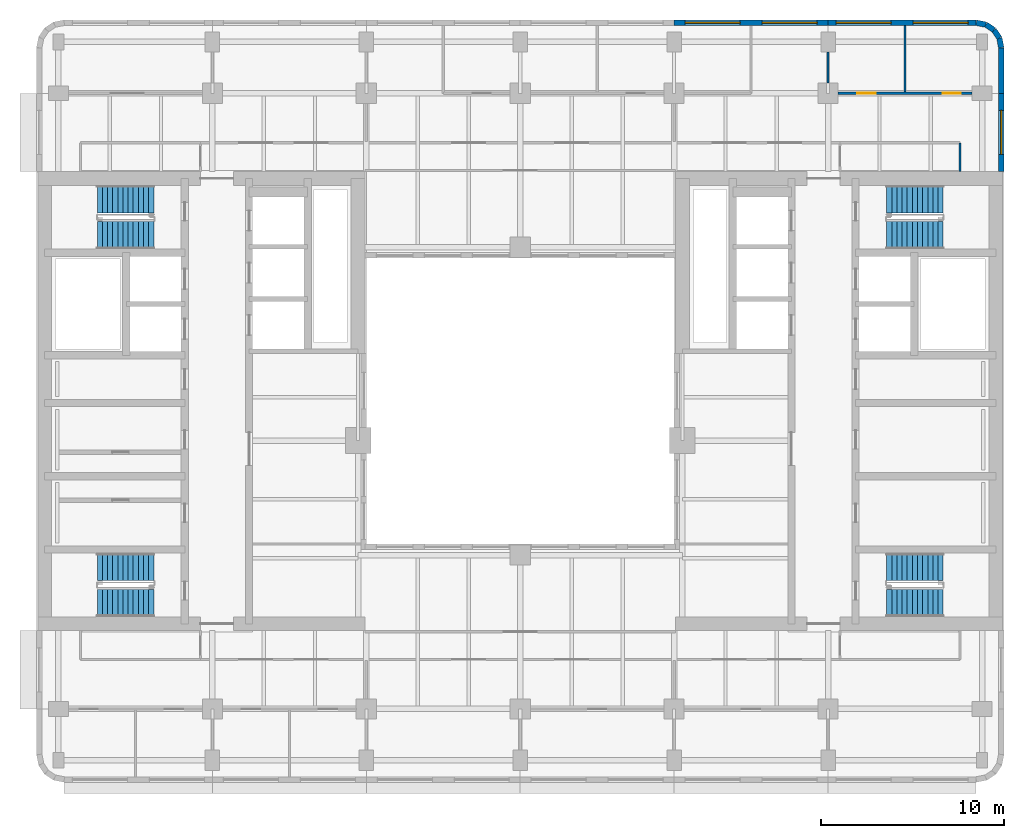
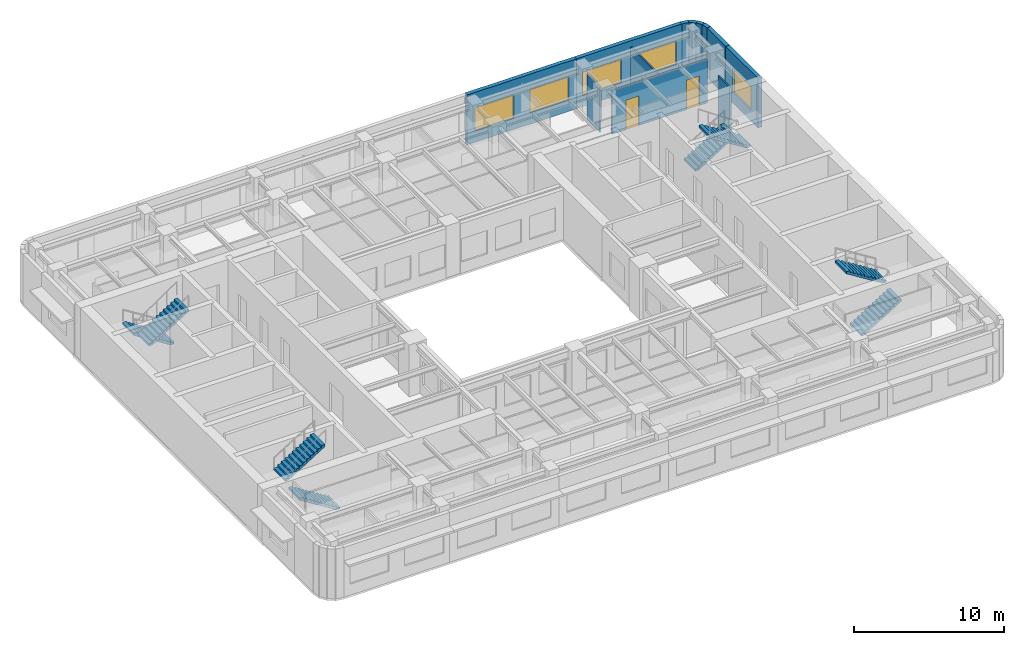
# One storey, part 8 of 11: 12 walls, 8 stair flights, 5 windows, 2 doors, 7 openings, 4 elements without a shape of their own.
"""IFC4 building model written with IfcOpenShell, lengths in metres."""

from ifc_helpers import new_model, si_unit, direction, frame, frame_2d, origin, place, context, subcontext, project, spatial, polyline, rectangle, outline, extrude, material, layer, layer_set, type_object, element, fill, aggregate, save


model = new_model("IFC4")

# Units and contexts
model_context = context("Model", 3, precision=1e-05, world=origin(), true_north=direction((0.0, 1.0)))
body_context = subcontext(model_context, "Body", "Model", "MODEL_VIEW")
ifc_project = project(units=[si_unit("LENGTHUNIT", "METRE"), si_unit("AREAUNIT", "SQUARE_METRE"), si_unit("VOLUMEUNIT", "CUBIC_METRE"), si_unit("PLANEANGLEUNIT", "RADIAN"), si_unit("MASSUNIT", "GRAM", prefix="KILO")], contexts=[model_context])

# Site, building, storey
site_placement = place(None, origin())
site = spatial("IfcSite", under=ifc_project, at=site_placement, CompositionType="ELEMENT")
building_placement = place(site_placement, origin())
building = spatial("IfcBuilding", under=site, at=building_placement, Name="Claustro Exchange Tower", CompositionType="ELEMENT")
storey_placement = place(building_placement, frame((0.0, 0.0, 207.0)))
storey = spatial("IfcBuildingStorey", under=building, at=storey_placement, Name="L47", CompositionType="ELEMENT", Elevation=207.0)

# Wall, openings, doors
ifc_material_1 = material(Name="Laminated glass in aluminium frame", Category="aluminium")
ifc_layer_1 = layer(ifc_material_1, 0.1201171875)
ifc_layer_set_1 = layer_set([ifc_layer_1], Name="Laminated glass in aluminium frame")
wall_type_1 = type_object("IfcWallType", Name="P2 120 glazed partition", PredefinedType="PARTITIONING", material=ifc_layer_set_1)
wall_1_placement = place(storey_placement, frame((42.549072265625, 42.0, 0.0), z_axis=(0.0, 0.0, 1.0), x_axis=(1.0, 0.0, 0.0)))
wall_1 = element("IfcWall", 1, at=wall_1_placement, inside=storey, type_object=wall_type_1, Name="Partition P2 L47", PredefinedType="PARTITIONING", context=body_context, shape_type="SweptSolid", body=[
    extrude(rectangle(XDim=7.302001953125, YDim=0.1201171875, at=frame_2d((3.65087890625, 0.0))), origin(), (0.0, 0.0, 1.0), 3.550048828125),
])
opening_1_placement = place(wall_1_placement, frame((1.051025390625, 0.0, 0.0)))
opening_1 = element("IfcOpeningElement", 2, at=opening_1_placement, cuts=wall_1, Name="Opening D7", PredefinedType="OPENING", context=body_context, shape_type="SweptSolid", body=[
    extrude(rectangle(XDim=1.0, YDim=2.39990234375, at=frame_2d((0.5, 1.199951171875))), frame((0.0, 0.070068359375, 0.0), z_axis=(0.0, -1.0, 0.0), x_axis=(1.0, 0.0, 0.0)), (0.0, 0.0, 1.0), 0.14013671875),
])
opening_2_placement = place(wall_1_placement, frame((5.700927734375, 0.0, 0.0)))
opening_2 = element("IfcOpeningElement", 3, at=opening_2_placement, cuts=wall_1, Name="Opening D7", PredefinedType="OPENING", context=body_context, shape_type="SweptSolid", body=[
    extrude(rectangle(XDim=1.0, YDim=2.39990234375, at=frame_2d((0.5, 1.199951171875))), frame((0.0, 0.070068359375, 0.0), z_axis=(0.0, -1.0, 0.0), x_axis=(1.0, 0.0, 0.0)), (0.0, 0.0, 1.0), 0.14013671875),
])
ifc_material_2 = material(Name="Glass door in aluminium frame", Category="aluminium")
door_type = type_object("IfcDoorType", Name="D7 1000 x 2400 glazed door", OperationType="SINGLE_SWING_LEFT", PredefinedType="DOOR", material=ifc_material_2)
door_1_placement = place(opening_1_placement, origin())
door_1 = element("IfcDoor", 4, at=door_1_placement, inside=storey, type_object=door_type, Name="Door D7 L47", OperationType="SINGLE_SWING_LEFT", OverallHeight=2.39990234375, OverallWidth=1.0, PredefinedType="DOOR", context=body_context, shape_type="SweptSolid", body=[
    extrude(rectangle(XDim=1.0, YDim=2.39990234375, at=frame_2d((0.5, 1.199951171875))), frame((0.0, 0.02490234375, 0.0), z_axis=(0.0, -1.0, 0.0), x_axis=(1.0, 0.0, 0.0)), (0.0, 0.0, 1.0), 0.050048828125),
])
fill(opening_1, door_1)
door_2_placement = place(opening_2_placement, origin())
door_2 = element("IfcDoor", 5, at=door_2_placement, inside=storey, type_object=door_type, Name="Door D7 L47", OperationType="SINGLE_SWING_LEFT", OverallHeight=2.39990234375, OverallWidth=1.0, PredefinedType="DOOR", context=body_context, shape_type="SweptSolid", body=[
    extrude(rectangle(XDim=1.0, YDim=2.39990234375, at=frame_2d((0.5, 1.199951171875))), frame((0.0, 0.02490234375, 0.0), z_axis=(0.0, -1.0, 0.0), x_axis=(1.0, 0.0, 0.0)), (0.0, 0.0, 1.0), 0.050048828125),
])
fill(opening_2, door_2)

# Walls
wall_2_placement = place(storey_placement, frame((42.0, 42.549072265625, 0.0), z_axis=(0.0, 0.0, 1.0), x_axis=(0.0, 1.0, 0.0)))
element("IfcWall", 6, at=wall_2_placement, inside=storey, type_object=wall_type_1, Name="Partition P2 L47", PredefinedType="PARTITIONING", context=body_context, shape_type="SweptSolid", body=[
    extrude(rectangle(XDim=1.701904296875, YDim=0.1201171875, at=frame_2d((0.85107421875, 0.0))), origin(), (0.0, 0.0, 1.0), 3.68994140625),
])
wall_3_placement = place(storey_placement, frame((46.199951171875, 42.05810546875, 0.0), z_axis=(0.0, 0.0, 1.0), x_axis=(0.0, 1.0, 0.0)))
element("IfcWall", 7, at=wall_3_placement, inside=storey, type_object=wall_type_1, Name="Partition P2 L47", PredefinedType="PARTITIONING", context=body_context, shape_type="SweptSolid", body=[
    extrude(rectangle(XDim=3.643798828125, YDim=0.1201171875, at=frame_2d((1.82177734375, 0.0))), origin(), (0.0, 0.0, 1.0), 3.550048828125),
])
wall_4_placement = place(storey_placement, frame((49.199951171875, 37.72412109375, 0.0), z_axis=(0.0, 0.0, 1.0), x_axis=(0.0, 1.0, 0.0)))
element("IfcWall", 8, at=wall_4_placement, inside=storey, type_object=wall_type_1, Name="Partition P2 L47", PredefinedType="PARTITIONING", context=body_context, shape_type="SweptSolid", body=[
    extrude(rectangle(XDim=1.575927734375, YDim=0.1201171875, at=frame_2d((0.7880859375, 0.0))), origin(), (0.0, 0.0, 1.0), 4.050048828125),
])

# Wall, openings, windows
ifc_material_3 = material(Name="Concrete HA-40 (C40/50), precast, white cement, acid-etched", Category="concrete")
ifc_layer_2 = layer(ifc_material_3, 0.300048828125)
ifc_layer_set_2 = layer_set([ifc_layer_2], Name="Concrete HA-40 (C40/50), precast, white cement, acid-etched")
wall_type_2 = type_object("IfcWallType", Name="PC1 300 precast concrete pier panel", PredefinedType="SOLIDWALL", material=ifc_layer_set_2)
wall_5_placement = place(storey_placement, frame((33.60009765625, 45.85009765625, 0.0), z_axis=(0.0, 0.0, 1.0), x_axis=(1.0, 0.0, 0.0)))
wall_5 = element("IfcWall", 9, at=wall_5_placement, inside=storey, type_object=wall_type_2, Name="Precast pier panel PC1 L47", PredefinedType="SOLIDWALL", context=body_context, shape_type="SweptSolid", body=[
    extrude(rectangle(XDim=8.39990234375, YDim=0.300048828125, at=frame_2d((4.199951171875, 0.0))), origin(), (0.0, 0.0, 1.0), 4.050048828125),
])
opening_3_placement = place(wall_5_placement, frame((0.60009765625, 0.0, 0.89990234375)))
opening_3 = element("IfcOpeningElement", 10, at=opening_3_placement, cuts=wall_5, Name="Opening W1", PredefinedType="OPENING", context=body_context, shape_type="SweptSolid", body=[
    extrude(rectangle(XDim=3.0, YDim=1.89990234375, at=frame_2d((1.5, 0.949951171875))), frame((0.0, 0.159912109375, 0.0), z_axis=(0.0, -1.0, 0.0), x_axis=(1.0, 0.0, 0.0)), (0.0, 0.0, 1.0), 0.320068359375),
])
opening_4_placement = place(wall_5_placement, frame((4.800048828125, 0.0, 0.89990234375)))
opening_4 = element("IfcOpeningElement", 11, at=opening_4_placement, cuts=wall_5, Name="Opening W1", PredefinedType="OPENING", context=body_context, shape_type="SweptSolid", body=[
    extrude(rectangle(XDim=3.0, YDim=1.89990234375, at=frame_2d((1.5, 0.949951171875))), frame((0.0, 0.159912109375, 0.0), z_axis=(0.0, -1.0, 0.0), x_axis=(1.0, 0.0, 0.0)), (0.0, 0.0, 1.0), 0.320068359375),
])
ifc_material_4 = material(Name="Aluminium frame, clear double glazing", Category="aluminium")
window_type_1 = type_object("IfcWindowType", Name="W1 3000 x 1900 window", PartitioningType="SINGLE_PANEL", PredefinedType="WINDOW", material=ifc_material_4)
window_1_placement = place(opening_3_placement, origin())
window_1 = element("IfcWindow", 12, at=window_1_placement, inside=storey, type_object=window_type_1, Name="Window W1 L47", OverallHeight=1.89990234375, OverallWidth=3.0, PartitioningType="SINGLE_PANEL", PredefinedType="WINDOW", context=body_context, shape_type="SweptSolid", body=[
    extrude(rectangle(XDim=3.0, YDim=1.89990234375, at=frame_2d((1.5, 0.949951171875))), frame((0.0, 0.030029296875, 0.0), z_axis=(0.0, -1.0, 0.0), x_axis=(1.0, 0.0, 0.0)), (0.0, 0.0, 1.0), 0.06005859375),
])
fill(opening_3, window_1)
window_2_placement = place(opening_4_placement, origin())
window_2 = element("IfcWindow", 13, at=window_2_placement, inside=storey, type_object=window_type_1, Name="Window W1 L47", OverallHeight=1.89990234375, OverallWidth=3.0, PartitioningType="SINGLE_PANEL", PredefinedType="WINDOW", context=body_context, shape_type="SweptSolid", body=[
    extrude(rectangle(XDim=3.0, YDim=1.89990234375, at=frame_2d((1.5, 0.949951171875))), frame((0.0, 0.030029296875, 0.0), z_axis=(0.0, -1.0, 0.0), x_axis=(1.0, 0.0, 0.0)), (0.0, 0.0, 1.0), 0.06005859375),
])
fill(opening_4, window_2)

wall_6_placement = place(storey_placement, frame((42.0, 45.85009765625, 0.0), z_axis=(0.0, 0.0, 1.0), x_axis=(1.0, 0.0, 0.0)))
wall_6 = element("IfcWall", 14, at=wall_6_placement, inside=storey, type_object=wall_type_2, Name="Precast pier panel PC1 L47", PredefinedType="SOLIDWALL", context=body_context, shape_type="SweptSolid", body=[
    extrude(rectangle(XDim=8.085205078125, YDim=0.300048828125, at=frame_2d((4.04248046875, 0.0))), origin(), (0.0, 0.0, 1.0), 4.050048828125),
])
opening_5_placement = place(wall_6_placement, frame((0.442626953125, 0.0, 0.89990234375)))
opening_5 = element("IfcOpeningElement", 15, at=opening_5_placement, cuts=wall_6, Name="Opening W1", PredefinedType="OPENING", context=body_context, shape_type="SweptSolid", body=[
    extrude(rectangle(XDim=3.0, YDim=1.89990234375, at=frame_2d((1.5, 0.949951171875))), frame((0.0, 0.159912109375, 0.0), z_axis=(0.0, -1.0, 0.0), x_axis=(1.0, 0.0, 0.0)), (0.0, 0.0, 1.0), 0.320068359375),
])
opening_6_placement = place(wall_6_placement, frame((4.642578125, 0.0, 0.89990234375)))
opening_6 = element("IfcOpeningElement", 16, at=opening_6_placement, cuts=wall_6, Name="Opening W1", PredefinedType="OPENING", context=body_context, shape_type="SweptSolid", body=[
    extrude(rectangle(XDim=3.0, YDim=1.89990234375, at=frame_2d((1.5, 0.949951171875))), frame((0.0, 0.159912109375, 0.0), z_axis=(0.0, -1.0, 0.0), x_axis=(1.0, 0.0, 0.0)), (0.0, 0.0, 1.0), 0.320068359375),
])
window_3_placement = place(opening_5_placement, origin())
window_3 = element("IfcWindow", 17, at=window_3_placement, inside=storey, type_object=window_type_1, Name="Window W1 L47", OverallHeight=1.89990234375, OverallWidth=3.0, PartitioningType="SINGLE_PANEL", PredefinedType="WINDOW", context=body_context, shape_type="SweptSolid", body=[
    extrude(rectangle(XDim=3.0, YDim=1.89990234375, at=frame_2d((1.5, 0.949951171875))), frame((0.0, 0.030029296875, 0.0), z_axis=(0.0, -1.0, 0.0), x_axis=(1.0, 0.0, 0.0)), (0.0, 0.0, 1.0), 0.06005859375),
])
fill(opening_5, window_3)
window_4_placement = place(opening_6_placement, origin())
window_4 = element("IfcWindow", 18, at=window_4_placement, inside=storey, type_object=window_type_1, Name="Window W1 L47", OverallHeight=1.89990234375, OverallWidth=3.0, PartitioningType="SINGLE_PANEL", PredefinedType="WINDOW", context=body_context, shape_type="SweptSolid", body=[
    extrude(rectangle(XDim=3.0, YDim=1.89990234375, at=frame_2d((1.5, 0.949951171875))), frame((0.0, 0.030029296875, 0.0), z_axis=(0.0, -1.0, 0.0), x_axis=(1.0, 0.0, 0.0)), (0.0, 0.0, 1.0), 0.06005859375),
])
fill(opening_6, window_4)

# Walls
wall_7_placement = place(storey_placement, frame((50.085205078125, 45.85009765625, 0.0), z_axis=(0.0, 0.0, 1.0), x_axis=(0.980702050465, -0.1955082817, 0.0)))
element("IfcWall", 19, at=wall_7_placement, inside=storey, type_object=wall_type_2, Name="Precast pier panel PC1 L47", PredefinedType="SOLIDWALL", context=body_context, shape_type="SweptSolid", body=[
    extrude(rectangle(XDim=0.540771484375, YDim=0.300048828125, at=frame_2d((0.2705078125, 0.0))), origin(), (0.0, 0.0, 1.0), 4.050048828125),
])
wall_8_placement = place(storey_placement, frame((50.615478515625, 45.744384765625, 0.0), z_axis=(0.0, 0.0, 1.0), x_axis=(0.831692711774, -0.555236195849, 0.0)))
element("IfcWall", 20, at=wall_8_placement, inside=storey, type_object=wall_type_2, Name="Precast pier panel PC1 L47", PredefinedType="SOLIDWALL", context=body_context, shape_type="SweptSolid", body=[
    extrude(rectangle(XDim=0.525390625, YDim=0.300048828125, at=frame_2d((0.2626953125, 0.0))), origin(), (0.0, 0.0, 1.0), 4.050048828125),
])
wall_9_placement = place(storey_placement, frame((51.052490234375, 45.45263671875, 0.0), z_axis=(0.0, 0.0, 1.0), x_axis=(0.55534295404, -0.831621430339, 0.0)))
element("IfcWall", 21, at=wall_9_placement, inside=storey, type_object=wall_type_2, Name="Precast pier panel PC1 L47", PredefinedType="SOLIDWALL", context=body_context, shape_type="SweptSolid", body=[
    extrude(rectangle(XDim=0.52587890625, YDim=0.300048828125, at=frame_2d((0.262939453125, 0.0))), origin(), (0.0, 0.0, 1.0), 4.050048828125),
])
wall_10_placement = place(storey_placement, frame((51.344482421875, 45.015380859375, 0.0), z_axis=(0.0, 0.0, 1.0), x_axis=(0.195073962632, -0.980788534345, 0.0)))
element("IfcWall", 22, at=wall_10_placement, inside=storey, type_object=wall_type_2, Name="Precast pier panel PC1 L47", PredefinedType="SOLIDWALL", context=body_context, shape_type="SweptSolid", body=[
    extrude(rectangle(XDim=0.540771484375, YDim=0.300048828125, at=frame_2d((0.2705078125, 0.0))), origin(), (0.0, 0.0, 1.0), 4.050048828125),
])
wall_11_placement = place(storey_placement, frame((51.449951171875, 44.485107421875, 0.0), z_axis=(0.0, 0.0, 1.0), x_axis=(0.0, -1.0, 0.0)))
element("IfcWall", 23, at=wall_11_placement, inside=storey, type_object=wall_type_2, Name="Precast pier panel PC1 L47", PredefinedType="SOLIDWALL", context=body_context, shape_type="SweptSolid", body=[
    extrude(rectangle(XDim=2.485107421875, YDim=0.300048828125, at=frame_2d((1.24267578125, 0.0))), origin(), (0.0, 0.0, 1.0), 4.050048828125),
])

# Wall, opening, window
wall_12_placement = place(storey_placement, frame((51.449951171875, 42.0, 0.0), z_axis=(0.0, 0.0, 1.0), x_axis=(0.0, -1.0, 0.0)))
wall_12 = element("IfcWall", 24, at=wall_12_placement, inside=storey, type_object=wall_type_2, Name="Precast pier panel PC1 L47", PredefinedType="SOLIDWALL", context=body_context, shape_type="SweptSolid", body=[
    extrude(rectangle(XDim=4.27490234375, YDim=0.300048828125, at=frame_2d((2.137451171875, 0.0))), origin(), (0.0, 0.0, 1.0), 4.050048828125),
])
opening_7_placement = place(wall_12_placement, frame((0.9375, 0.0, 0.89990234375)))
opening_7 = element("IfcOpeningElement", 25, at=opening_7_placement, cuts=wall_12, Name="Opening W2", PredefinedType="OPENING", context=body_context, shape_type="SweptSolid", body=[
    extrude(rectangle(XDim=2.39990234375, YDim=1.89990234375, at=frame_2d((1.199951171875, 0.949951171875))), frame((0.0, 0.159912109375, 0.0), z_axis=(0.0, -1.0, 0.0), x_axis=(1.0, 0.0, 0.0)), (0.0, 0.0, 1.0), 0.320068359375),
])
ifc_material_5 = material(Name="Aluminium frame, clear double glazing", Category="aluminium")
window_type_2 = type_object("IfcWindowType", Name="W2 2400 x 1900 window", PartitioningType="SINGLE_PANEL", PredefinedType="WINDOW", material=ifc_material_5)
window_5_placement = place(opening_7_placement, origin())
window_5 = element("IfcWindow", 26, at=window_5_placement, inside=storey, type_object=window_type_2, Name="Window W2 L47", OverallHeight=1.89990234375, OverallWidth=2.39990234375, PartitioningType="SINGLE_PANEL", PredefinedType="WINDOW", context=body_context, shape_type="SweptSolid", body=[
    extrude(rectangle(XDim=2.39990234375, YDim=1.89990234375, at=frame_2d((1.199951171875, 0.949951171875))), frame((0.0, 0.030029296875, 0.0), z_axis=(0.0, -1.0, 0.0), x_axis=(1.0, 0.0, 0.0)), (0.0, 0.0, 1.0), 0.06005859375),
])
fill(opening_7, window_5)

# Stair, stair flights
ifc_material_6 = material(Name="Concrete HA-30 (C30/37), precast", Category="concrete")
stair_type = type_object("IfcStairType", Name="ST1 half-turn stair, 24 risers of 175", PredefinedType="HALF_TURN_STAIR", material=ifc_material_6)
stair_1_placement = place(storey_placement, origin())
stair_1 = element("IfcStair", 27, at=stair_1_placement, inside=storey, type_object=stair_type, Name="Stair STWA L47", PredefinedType="HALF_TURN_STAIR")
ifc_material_7 = material(Name="Concrete HA-30 (C30/37), precast", Category="concrete")
stair_flight_type = type_object("IfcStairFlightType", Name="SF12A straight flight, 12 risers of 175, 1500 wide", PredefinedType="STRAIGHT", material=ifc_material_7)
stair_flight_1_placement = place(storey_placement, frame((5.199951171875, 14.175048828125, 0.0), z_axis=(0.0, 0.0, 1.0), x_axis=(-1.0, 0.0, 0.0)))
stair_flight_1 = element("IfcStairFlight", 28, at=stair_flight_1_placement, type_object=stair_flight_type, Name="STWA flight 1", NumberOfRisers=12, NumberOfTreads=11, PredefinedType="STRAIGHT", RiserHeight=0.175, TreadLength=0.28, context=body_context, shape_type="SweptSolid", body=[
    extrude(outline(polyline([(0.0, 0.0), (0.0, 0.175048828125), (0.280029296875, 0.175048828125), (0.280029296875, 0.35009765625), (0.56005859375, 0.35009765625), (0.56005859375, 0.52490234375), (0.840087890625, 0.52490234375), (0.840087890625, 0.699951171875), (1.1201171875, 0.699951171875), (1.1201171875, 0.875), (1.39990234375, 0.875), (1.39990234375, 1.050048828125), (1.679931640625, 1.050048828125), (1.679931640625, 1.22509765625), (1.9599609375, 1.22509765625), (1.9599609375, 1.39990234375), (2.239990234375, 1.39990234375), (2.239990234375, 1.574951171875), (2.52001953125, 1.574951171875), (2.52001953125, 1.75), (2.800048828125, 1.75), (2.800048828125, 1.925048828125), (3.080078125, 1.925048828125), (3.080078125, 2.10009765625), (3.080078125, 1.748291015625), (0.28271484375, 0.0), (0.0, 0.0)])), frame((0.0, 0.75, 0.0), z_axis=(0.0, -1.0, 0.0), x_axis=(1.0, 0.0, 0.0)), (0.0, 0.0, 1.0), 1.5),
])
stair_flight_2_placement = place(storey_placement, frame((2.1201171875, 16.14990234375, 2.10009765625), z_axis=(0.0, 0.0, 1.0), x_axis=(1.0, 0.0, 0.0)))
stair_flight_2 = element("IfcStairFlight", 29, at=stair_flight_2_placement, type_object=stair_flight_type, Name="STWA flight 2", NumberOfRisers=12, NumberOfTreads=11, PredefinedType="STRAIGHT", RiserHeight=0.175, TreadLength=0.28, context=body_context, shape_type="SweptSolid", body=[
    extrude(outline(polyline([(0.0, 0.0), (0.0, 0.175048828125), (0.280029296875, 0.175048828125), (0.280029296875, 0.35009765625), (0.56005859375, 0.35009765625), (0.56005859375, 0.52490234375), (0.840087890625, 0.52490234375), (0.840087890625, 0.699951171875), (1.1201171875, 0.699951171875), (1.1201171875, 0.875), (1.39990234375, 0.875), (1.39990234375, 1.050048828125), (1.679931640625, 1.050048828125), (1.679931640625, 1.22509765625), (1.9599609375, 1.22509765625), (1.9599609375, 1.39990234375), (2.239990234375, 1.39990234375), (2.239990234375, 1.574951171875), (2.52001953125, 1.574951171875), (2.52001953125, 1.75), (2.800048828125, 1.75), (2.800048828125, 1.925048828125), (3.080078125, 1.925048828125), (3.080078125, 2.10009765625), (3.080078125, 1.748291015625), (0.28271484375, 0.0), (0.0, 0.0)])), frame((0.0, 0.75, 0.0), z_axis=(0.0, -1.0, 0.0), x_axis=(1.0, 0.0, 0.0)), (0.0, 0.0, 1.0), 1.5),
])
aggregate(stair_1, [stair_flight_1, stair_flight_2])

stair_2_placement = place(storey_placement, origin())
stair_2 = element("IfcStair", 30, at=stair_2_placement, inside=storey, type_object=stair_type, Name="Stair STWB L47", PredefinedType="HALF_TURN_STAIR")
stair_flight_3_placement = place(storey_placement, frame((5.199951171875, 36.22509765625, 0.0), z_axis=(0.0, 0.0, 1.0), x_axis=(-1.0, 0.0, 0.0)))
stair_flight_3 = element("IfcStairFlight", 31, at=stair_flight_3_placement, type_object=stair_flight_type, Name="STWB flight 1", NumberOfRisers=12, NumberOfTreads=11, PredefinedType="STRAIGHT", RiserHeight=0.175, TreadLength=0.28, context=body_context, shape_type="SweptSolid", body=[
    extrude(outline(polyline([(0.0, 0.0), (0.0, 0.175048828125), (0.280029296875, 0.175048828125), (0.280029296875, 0.35009765625), (0.56005859375, 0.35009765625), (0.56005859375, 0.52490234375), (0.840087890625, 0.52490234375), (0.840087890625, 0.699951171875), (1.1201171875, 0.699951171875), (1.1201171875, 0.875), (1.39990234375, 0.875), (1.39990234375, 1.050048828125), (1.679931640625, 1.050048828125), (1.679931640625, 1.22509765625), (1.9599609375, 1.22509765625), (1.9599609375, 1.39990234375), (2.239990234375, 1.39990234375), (2.239990234375, 1.574951171875), (2.52001953125, 1.574951171875), (2.52001953125, 1.75), (2.800048828125, 1.75), (2.800048828125, 1.925048828125), (3.080078125, 1.925048828125), (3.080078125, 2.10009765625), (3.080078125, 1.748291015625), (0.28271484375, 0.0), (0.0, 0.0)])), frame((0.0, 0.75, 0.0), z_axis=(0.0, -1.0, 0.0), x_axis=(1.0, 0.0, 0.0)), (0.0, 0.0, 1.0), 1.5),
])
stair_flight_4_placement = place(storey_placement, frame((2.1201171875, 34.25, 2.10009765625), z_axis=(0.0, 0.0, 1.0), x_axis=(1.0, 0.0, 0.0)))
stair_flight_4 = element("IfcStairFlight", 32, at=stair_flight_4_placement, type_object=stair_flight_type, Name="STWB flight 2", NumberOfRisers=12, NumberOfTreads=11, PredefinedType="STRAIGHT", RiserHeight=0.175, TreadLength=0.28, context=body_context, shape_type="SweptSolid", body=[
    extrude(outline(polyline([(0.0, 0.0), (0.0, 0.175048828125), (0.280029296875, 0.175048828125), (0.280029296875, 0.35009765625), (0.56005859375, 0.35009765625), (0.56005859375, 0.52490234375), (0.840087890625, 0.52490234375), (0.840087890625, 0.699951171875), (1.1201171875, 0.699951171875), (1.1201171875, 0.875), (1.39990234375, 0.875), (1.39990234375, 1.050048828125), (1.679931640625, 1.050048828125), (1.679931640625, 1.22509765625), (1.9599609375, 1.22509765625), (1.9599609375, 1.39990234375), (2.239990234375, 1.39990234375), (2.239990234375, 1.574951171875), (2.52001953125, 1.574951171875), (2.52001953125, 1.75), (2.800048828125, 1.75), (2.800048828125, 1.925048828125), (3.080078125, 1.925048828125), (3.080078125, 2.10009765625), (3.080078125, 1.748291015625), (0.28271484375, 0.0), (0.0, 0.0)])), frame((0.0, 0.75, 0.0), z_axis=(0.0, -1.0, 0.0), x_axis=(1.0, 0.0, 0.0)), (0.0, 0.0, 1.0), 1.5),
])
aggregate(stair_2, [stair_flight_3, stair_flight_4])

stair_3_placement = place(storey_placement, origin())
stair_3 = element("IfcStair", 33, at=stair_3_placement, inside=storey, type_object=stair_type, Name="Stair STEA L47", PredefinedType="HALF_TURN_STAIR")
stair_flight_5_placement = place(storey_placement, frame((45.199951171875, 14.175048828125, 0.0), z_axis=(0.0, 0.0, 1.0), x_axis=(1.0, 0.0, 0.0)))
stair_flight_5 = element("IfcStairFlight", 34, at=stair_flight_5_placement, type_object=stair_flight_type, Name="STEA flight 1", NumberOfRisers=12, NumberOfTreads=11, PredefinedType="STRAIGHT", RiserHeight=0.175, TreadLength=0.28, context=body_context, shape_type="SweptSolid", body=[
    extrude(outline(polyline([(0.0, 0.0), (0.0, 0.175048828125), (0.280029296875, 0.175048828125), (0.280029296875, 0.35009765625), (0.56005859375, 0.35009765625), (0.56005859375, 0.52490234375), (0.840087890625, 0.52490234375), (0.840087890625, 0.699951171875), (1.1201171875, 0.699951171875), (1.1201171875, 0.875), (1.39990234375, 0.875), (1.39990234375, 1.050048828125), (1.679931640625, 1.050048828125), (1.679931640625, 1.22509765625), (1.9599609375, 1.22509765625), (1.9599609375, 1.39990234375), (2.239990234375, 1.39990234375), (2.239990234375, 1.574951171875), (2.52001953125, 1.574951171875), (2.52001953125, 1.75), (2.800048828125, 1.75), (2.800048828125, 1.925048828125), (3.080078125, 1.925048828125), (3.080078125, 2.10009765625), (3.080078125, 1.748291015625), (0.28271484375, 0.0), (0.0, 0.0)])), frame((0.0, 0.75, 0.0), z_axis=(0.0, -1.0, 0.0), x_axis=(1.0, 0.0, 0.0)), (0.0, 0.0, 1.0), 1.5),
])
stair_flight_6_placement = place(storey_placement, frame((48.280029296875, 16.14990234375, 2.10009765625), z_axis=(0.0, 0.0, 1.0), x_axis=(-1.0, 0.0, 0.0)))
stair_flight_6 = element("IfcStairFlight", 35, at=stair_flight_6_placement, type_object=stair_flight_type, Name="STEA flight 2", NumberOfRisers=12, NumberOfTreads=11, PredefinedType="STRAIGHT", RiserHeight=0.175, TreadLength=0.28, context=body_context, shape_type="SweptSolid", body=[
    extrude(outline(polyline([(0.0, 0.0), (0.0, 0.175048828125), (0.280029296875, 0.175048828125), (0.280029296875, 0.35009765625), (0.56005859375, 0.35009765625), (0.56005859375, 0.52490234375), (0.840087890625, 0.52490234375), (0.840087890625, 0.699951171875), (1.1201171875, 0.699951171875), (1.1201171875, 0.875), (1.39990234375, 0.875), (1.39990234375, 1.050048828125), (1.679931640625, 1.050048828125), (1.679931640625, 1.22509765625), (1.9599609375, 1.22509765625), (1.9599609375, 1.39990234375), (2.239990234375, 1.39990234375), (2.239990234375, 1.574951171875), (2.52001953125, 1.574951171875), (2.52001953125, 1.75), (2.800048828125, 1.75), (2.800048828125, 1.925048828125), (3.080078125, 1.925048828125), (3.080078125, 2.10009765625), (3.080078125, 1.748291015625), (0.28271484375, 0.0), (0.0, 0.0)])), frame((0.0, 0.75, 0.0), z_axis=(0.0, -1.0, 0.0), x_axis=(1.0, 0.0, 0.0)), (0.0, 0.0, 1.0), 1.5),
])
aggregate(stair_3, [stair_flight_5, stair_flight_6])

stair_4_placement = place(storey_placement, origin())
stair_4 = element("IfcStair", 36, at=stair_4_placement, inside=storey, type_object=stair_type, Name="Stair STEB L47", PredefinedType="HALF_TURN_STAIR")
stair_flight_7_placement = place(storey_placement, frame((45.199951171875, 36.22509765625, 0.0), z_axis=(0.0, 0.0, 1.0), x_axis=(1.0, 0.0, 0.0)))
stair_flight_7 = element("IfcStairFlight", 37, at=stair_flight_7_placement, type_object=stair_flight_type, Name="STEB flight 1", NumberOfRisers=12, NumberOfTreads=11, PredefinedType="STRAIGHT", RiserHeight=0.175, TreadLength=0.28, context=body_context, shape_type="SweptSolid", body=[
    extrude(outline(polyline([(0.0, 0.0), (0.0, 0.175048828125), (0.280029296875, 0.175048828125), (0.280029296875, 0.35009765625), (0.56005859375, 0.35009765625), (0.56005859375, 0.52490234375), (0.840087890625, 0.52490234375), (0.840087890625, 0.699951171875), (1.1201171875, 0.699951171875), (1.1201171875, 0.875), (1.39990234375, 0.875), (1.39990234375, 1.050048828125), (1.679931640625, 1.050048828125), (1.679931640625, 1.22509765625), (1.9599609375, 1.22509765625), (1.9599609375, 1.39990234375), (2.239990234375, 1.39990234375), (2.239990234375, 1.574951171875), (2.52001953125, 1.574951171875), (2.52001953125, 1.75), (2.800048828125, 1.75), (2.800048828125, 1.925048828125), (3.080078125, 1.925048828125), (3.080078125, 2.10009765625), (3.080078125, 1.748291015625), (0.28271484375, 0.0), (0.0, 0.0)])), frame((0.0, 0.75, 0.0), z_axis=(0.0, -1.0, 0.0), x_axis=(1.0, 0.0, 0.0)), (0.0, 0.0, 1.0), 1.5),
])
stair_flight_8_placement = place(storey_placement, frame((48.280029296875, 34.25, 2.10009765625), z_axis=(0.0, 0.0, 1.0), x_axis=(-1.0, 0.0, 0.0)))
stair_flight_8 = element("IfcStairFlight", 38, at=stair_flight_8_placement, type_object=stair_flight_type, Name="STEB flight 2", NumberOfRisers=12, NumberOfTreads=11, PredefinedType="STRAIGHT", RiserHeight=0.175, TreadLength=0.28, context=body_context, shape_type="SweptSolid", body=[
    extrude(outline(polyline([(0.0, 0.0), (0.0, 0.175048828125), (0.280029296875, 0.175048828125), (0.280029296875, 0.35009765625), (0.56005859375, 0.35009765625), (0.56005859375, 0.52490234375), (0.840087890625, 0.52490234375), (0.840087890625, 0.699951171875), (1.1201171875, 0.699951171875), (1.1201171875, 0.875), (1.39990234375, 0.875), (1.39990234375, 1.050048828125), (1.679931640625, 1.050048828125), (1.679931640625, 1.22509765625), (1.9599609375, 1.22509765625), (1.9599609375, 1.39990234375), (2.239990234375, 1.39990234375), (2.239990234375, 1.574951171875), (2.52001953125, 1.574951171875), (2.52001953125, 1.75), (2.800048828125, 1.75), (2.800048828125, 1.925048828125), (3.080078125, 1.925048828125), (3.080078125, 2.10009765625), (3.080078125, 1.748291015625), (0.28271484375, 0.0), (0.0, 0.0)])), frame((0.0, 0.75, 0.0), z_axis=(0.0, -1.0, 0.0), x_axis=(1.0, 0.0, 0.0)), (0.0, 0.0, 1.0), 1.5),
])
aggregate(stair_4, [stair_flight_7, stair_flight_8])

save(model, "model.ifc")
